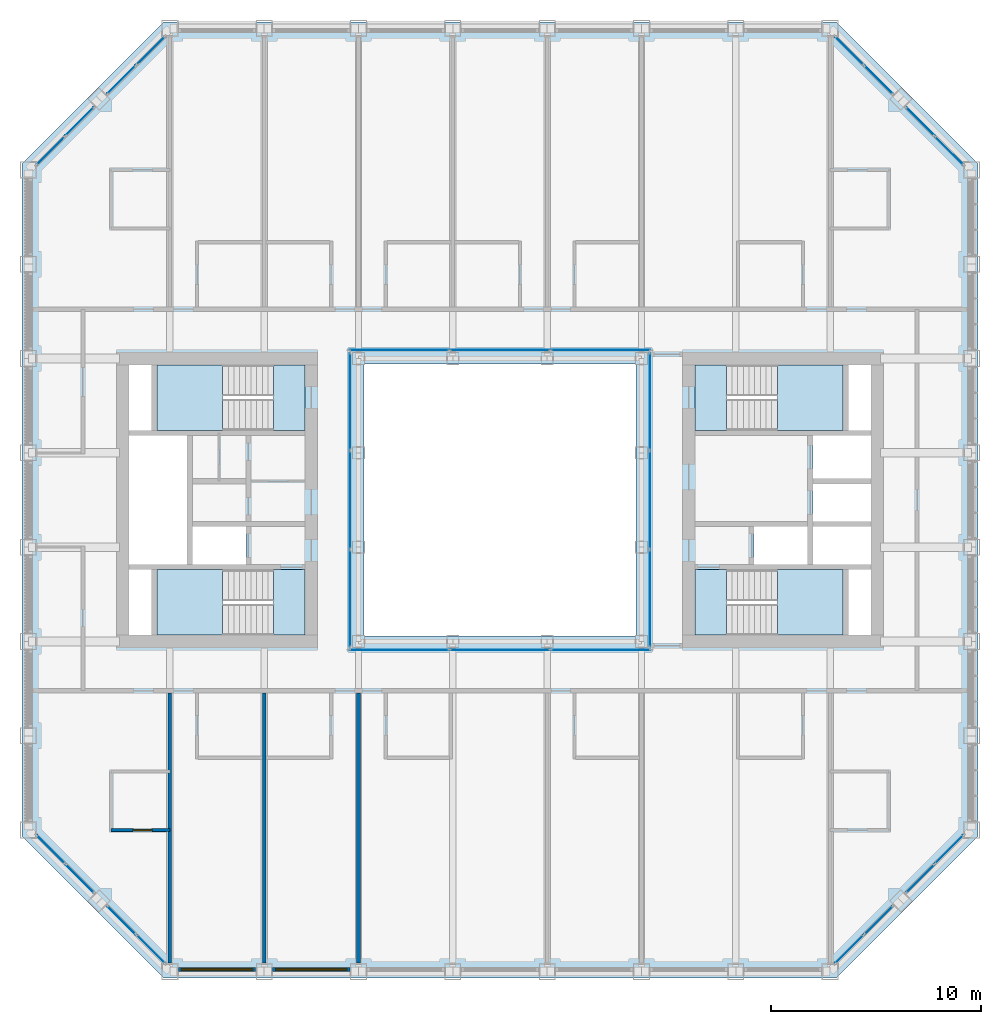
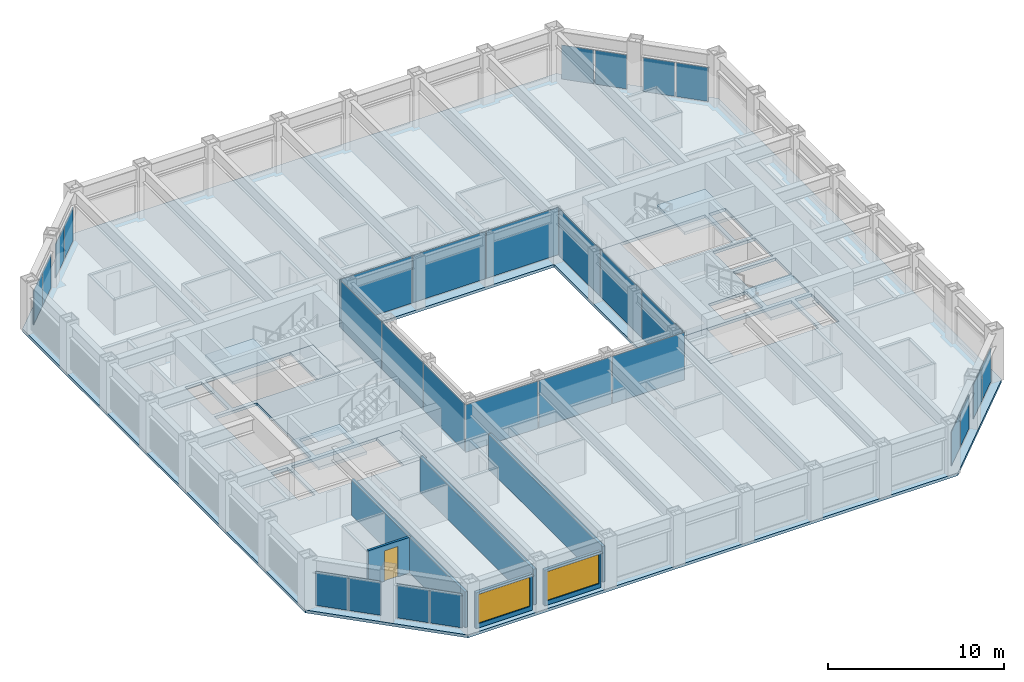
# One storey, part 9 of 17: 28 plates, 9 slabs, 6 walls, 2 windows, 1 door, 3 openings, 16 elements without a shape of their own.
"""IFC4 building model written with IfcOpenShell, lengths in metres."""

from ifc_helpers import new_model, si_unit, direction, frame, frame_2d, origin, origin_2d, place, context, subcontext, project, spatial, polyline, rectangle, outline, extrude, material, layer, layer_set, type_object, element, fill, aggregate, save


model = new_model("IFC4")

# Units and contexts
model_context = context("Model", 3, precision=1e-05, world=origin(), true_north=direction((0.0, 1.0)))
body_context = subcontext(model_context, "Body", "Model", "MODEL_VIEW")
ifc_project = project(units=[si_unit("LENGTHUNIT", "METRE"), si_unit("AREAUNIT", "SQUARE_METRE"), si_unit("VOLUMEUNIT", "CUBIC_METRE"), si_unit("PLANEANGLEUNIT", "RADIAN"), si_unit("MASSUNIT", "GRAM", prefix="KILO")], contexts=[model_context])

# Site, building, storey
site_placement = place(None, origin())
site = spatial("IfcSite", under=ifc_project, at=site_placement, CompositionType="ELEMENT")
building_placement = place(site_placement, origin())
building = spatial("IfcBuilding", under=site, at=building_placement, Name="Msasa Ring Tower", CompositionType="ELEMENT")
storey_placement = place(building_placement, frame((0.0, 0.0, 143.60009765625)))
storey = spatial("IfcBuildingStorey", under=building, at=storey_placement, Name="L37", CompositionType="ELEMENT", Elevation=143.60009765625)

# Curtain wall, plates
ifc_material_1 = material(Name="Aluminium curtain wall with clear glass", Category="aluminium")
curtain_wall_type_1 = type_object("IfcCurtainWallType", Name="CW-C CHAMFER CORNER CURTAIN WALL", PredefinedType="NOTDEFINED", material=ifc_material_1)
curtain_wall_1_placement = place(storey_placement, origin())
curtain_wall_1 = element("IfcCurtainWall", 1, at=curtain_wall_1_placement, inside=storey, type_object=curtain_wall_type_1, Name="Chamfer corner curtain wall SE L37", PredefinedType="NOTDEFINED")
ifc_material_2 = material(Name="Clear laminated insulating glass unit", Category="glass")
ifc_layer_1 = layer(ifc_material_2, 0.031982421875)
ifc_layer_set_1 = layer_set([ifc_layer_1], Name="CW-C GLASS PANEL 32")
plate_type_1 = type_object("IfcPlateType", Name="CW-C GLASS PANEL 32", PredefinedType="CURTAIN_PANEL", material=ifc_layer_set_1)
plate_1_placement = place(storey_placement, frame((16.677734375, -21.430908203125, 0.06494140625), z_axis=(0.0, 0.0, 1.0), x_axis=(0.707106781187, 0.707106781187, 0.0)))
plate_1 = element("IfcPlate", 2, at=plate_1_placement, type_object=plate_type_1, Name="CW-C panel 1.1", PredefinedType="CURTAIN_PANEL", context=body_context, shape_type="SweptSolid", body=[
    extrude(rectangle(XDim=1.884033203125, YDim=0.031982421875, at=origin_2d()), origin(), (0.0, 0.0, 1.0), 2.34912109375),
])
plate_2_placement = place(storey_placement, frame((18.055908203125, -20.052734375, 0.06494140625), z_axis=(0.0, 0.0, 1.0), x_axis=(0.707106781187, 0.707106781187, 0.0)))
plate_2 = element("IfcPlate", 3, at=plate_2_placement, type_object=plate_type_1, Name="CW-C panel 2.1", PredefinedType="CURTAIN_PANEL", context=body_context, shape_type="SweptSolid", body=[
    extrude(rectangle(XDim=1.884033203125, YDim=0.031982421875, at=origin_2d()), origin(), (0.0, 0.0, 1.0), 2.34912109375),
])
aggregate(curtain_wall_1, [plate_1, plate_2])

curtain_wall_2_placement = place(storey_placement, origin())
curtain_wall_2 = element("IfcCurtainWall", 4, at=curtain_wall_2_placement, inside=storey, type_object=curtain_wall_type_1, Name="Chamfer corner curtain wall SE L37", PredefinedType="NOTDEFINED")
plate_3_placement = place(storey_placement, frame((20.052734375, -18.055908203125, 0.06494140625), z_axis=(0.0, 0.0, 1.0), x_axis=(0.707106781187, 0.707106781187, 0.0)))
plate_3 = element("IfcPlate", 5, at=plate_3_placement, type_object=plate_type_1, Name="CW-C panel 1.1", PredefinedType="CURTAIN_PANEL", context=body_context, shape_type="SweptSolid", body=[
    extrude(rectangle(XDim=1.884033203125, YDim=0.031982421875, at=origin_2d()), origin(), (0.0, 0.0, 1.0), 2.34912109375),
])
plate_4_placement = place(storey_placement, frame((21.430908203125, -16.677734375, 0.06494140625), z_axis=(0.0, 0.0, 1.0), x_axis=(0.707106781187, 0.707106781187, 0.0)))
plate_4 = element("IfcPlate", 6, at=plate_4_placement, type_object=plate_type_1, Name="CW-C panel 2.1", PredefinedType="CURTAIN_PANEL", context=body_context, shape_type="SweptSolid", body=[
    extrude(rectangle(XDim=1.884033203125, YDim=0.031982421875, at=origin_2d()), origin(), (0.0, 0.0, 1.0), 2.34912109375),
])
aggregate(curtain_wall_2, [plate_3, plate_4])

curtain_wall_3_placement = place(storey_placement, origin())
curtain_wall_3 = element("IfcCurtainWall", 7, at=curtain_wall_3_placement, inside=storey, type_object=curtain_wall_type_1, Name="Chamfer corner curtain wall NE L37", PredefinedType="NOTDEFINED")
plate_5_placement = place(storey_placement, frame((18.055908203125, 20.052734375, 0.06494140625), z_axis=(0.0, 0.0, 1.0), x_axis=(-0.707106781187, 0.707106781187, 0.0)))
plate_5 = element("IfcPlate", 8, at=plate_5_placement, type_object=plate_type_1, Name="CW-C panel 1.1", PredefinedType="CURTAIN_PANEL", context=body_context, shape_type="SweptSolid", body=[
    extrude(rectangle(XDim=1.884033203125, YDim=0.031982421875, at=origin_2d()), origin(), (0.0, 0.0, 1.0), 2.34912109375),
])
plate_6_placement = place(storey_placement, frame((16.677734375, 21.430908203125, 0.06494140625), z_axis=(0.0, 0.0, 1.0), x_axis=(-0.707106781187, 0.707106781187, 0.0)))
plate_6 = element("IfcPlate", 9, at=plate_6_placement, type_object=plate_type_1, Name="CW-C panel 2.1", PredefinedType="CURTAIN_PANEL", context=body_context, shape_type="SweptSolid", body=[
    extrude(rectangle(XDim=1.884033203125, YDim=0.031982421875, at=origin_2d()), origin(), (0.0, 0.0, 1.0), 2.34912109375),
])
aggregate(curtain_wall_3, [plate_5, plate_6])

curtain_wall_4_placement = place(storey_placement, origin())
curtain_wall_4 = element("IfcCurtainWall", 10, at=curtain_wall_4_placement, inside=storey, type_object=curtain_wall_type_1, Name="Chamfer corner curtain wall NE L37", PredefinedType="NOTDEFINED")
plate_7_placement = place(storey_placement, frame((21.430908203125, 16.677734375, 0.06494140625), z_axis=(0.0, 0.0, 1.0), x_axis=(-0.707106781187, 0.707106781187, 0.0)))
plate_7 = element("IfcPlate", 11, at=plate_7_placement, type_object=plate_type_1, Name="CW-C panel 1.1", PredefinedType="CURTAIN_PANEL", context=body_context, shape_type="SweptSolid", body=[
    extrude(rectangle(XDim=1.884033203125, YDim=0.031982421875, at=origin_2d()), origin(), (0.0, 0.0, 1.0), 2.34912109375),
])
plate_8_placement = place(storey_placement, frame((20.052734375, 18.055908203125, 0.06494140625), z_axis=(0.0, 0.0, 1.0), x_axis=(-0.707106781187, 0.707106781187, 0.0)))
plate_8 = element("IfcPlate", 12, at=plate_8_placement, type_object=plate_type_1, Name="CW-C panel 2.1", PredefinedType="CURTAIN_PANEL", context=body_context, shape_type="SweptSolid", body=[
    extrude(rectangle(XDim=1.884033203125, YDim=0.031982421875, at=origin_2d()), origin(), (0.0, 0.0, 1.0), 2.34912109375),
])
aggregate(curtain_wall_4, [plate_7, plate_8])

curtain_wall_5_placement = place(storey_placement, origin())
curtain_wall_5 = element("IfcCurtainWall", 13, at=curtain_wall_5_placement, inside=storey, type_object=curtain_wall_type_1, Name="Chamfer corner curtain wall NW L37", PredefinedType="NOTDEFINED")
plate_9_placement = place(storey_placement, frame((-20.052734375, 18.055908203125, 0.06494140625), z_axis=(0.0, 0.0, 1.0), x_axis=(-0.707106781187, -0.707106781187, 0.0)))
plate_9 = element("IfcPlate", 14, at=plate_9_placement, type_object=plate_type_1, Name="CW-C panel 1.1", PredefinedType="CURTAIN_PANEL", context=body_context, shape_type="SweptSolid", body=[
    extrude(rectangle(XDim=1.884033203125, YDim=0.031982421875, at=origin_2d()), origin(), (0.0, 0.0, 1.0), 2.34912109375),
])
plate_10_placement = place(storey_placement, frame((-21.430908203125, 16.677734375, 0.06494140625), z_axis=(0.0, 0.0, 1.0), x_axis=(-0.707106781187, -0.707106781187, 0.0)))
plate_10 = element("IfcPlate", 15, at=plate_10_placement, type_object=plate_type_1, Name="CW-C panel 2.1", PredefinedType="CURTAIN_PANEL", context=body_context, shape_type="SweptSolid", body=[
    extrude(rectangle(XDim=1.884033203125, YDim=0.031982421875, at=origin_2d()), origin(), (0.0, 0.0, 1.0), 2.34912109375),
])
aggregate(curtain_wall_5, [plate_9, plate_10])

curtain_wall_6_placement = place(storey_placement, origin())
curtain_wall_6 = element("IfcCurtainWall", 16, at=curtain_wall_6_placement, inside=storey, type_object=curtain_wall_type_1, Name="Chamfer corner curtain wall NW L37", PredefinedType="NOTDEFINED")
plate_11_placement = place(storey_placement, frame((-16.677734375, 21.430908203125, 0.06494140625), z_axis=(0.0, 0.0, 1.0), x_axis=(-0.707106781187, -0.707106781187, 0.0)))
plate_11 = element("IfcPlate", 17, at=plate_11_placement, type_object=plate_type_1, Name="CW-C panel 1.1", PredefinedType="CURTAIN_PANEL", context=body_context, shape_type="SweptSolid", body=[
    extrude(rectangle(XDim=1.884033203125, YDim=0.031982421875, at=origin_2d()), origin(), (0.0, 0.0, 1.0), 2.34912109375),
])
plate_12_placement = place(storey_placement, frame((-18.055908203125, 20.052734375, 0.06494140625), z_axis=(0.0, 0.0, 1.0), x_axis=(-0.707106781187, -0.707106781187, 0.0)))
plate_12 = element("IfcPlate", 18, at=plate_12_placement, type_object=plate_type_1, Name="CW-C panel 2.1", PredefinedType="CURTAIN_PANEL", context=body_context, shape_type="SweptSolid", body=[
    extrude(rectangle(XDim=1.884033203125, YDim=0.031982421875, at=origin_2d()), origin(), (0.0, 0.0, 1.0), 2.34912109375),
])
aggregate(curtain_wall_6, [plate_11, plate_12])

curtain_wall_7_placement = place(storey_placement, origin())
curtain_wall_7 = element("IfcCurtainWall", 19, at=curtain_wall_7_placement, inside=storey, type_object=curtain_wall_type_1, Name="Chamfer corner curtain wall SW L37", PredefinedType="NOTDEFINED")
plate_13_placement = place(storey_placement, frame((-21.430908203125, -16.677734375, 0.06494140625), z_axis=(0.0, 0.0, 1.0), x_axis=(0.707106781187, -0.707106781187, 0.0)))
plate_13 = element("IfcPlate", 20, at=plate_13_placement, type_object=plate_type_1, Name="CW-C panel 1.1", PredefinedType="CURTAIN_PANEL", context=body_context, shape_type="SweptSolid", body=[
    extrude(rectangle(XDim=1.884033203125, YDim=0.031982421875, at=origin_2d()), origin(), (0.0, 0.0, 1.0), 2.34912109375),
])
plate_14_placement = place(storey_placement, frame((-20.052734375, -18.055908203125, 0.06494140625), z_axis=(0.0, 0.0, 1.0), x_axis=(0.707106781187, -0.707106781187, 0.0)))
plate_14 = element("IfcPlate", 21, at=plate_14_placement, type_object=plate_type_1, Name="CW-C panel 2.1", PredefinedType="CURTAIN_PANEL", context=body_context, shape_type="SweptSolid", body=[
    extrude(rectangle(XDim=1.884033203125, YDim=0.031982421875, at=origin_2d()), origin(), (0.0, 0.0, 1.0), 2.34912109375),
])
aggregate(curtain_wall_7, [plate_13, plate_14])

curtain_wall_8_placement = place(storey_placement, origin())
curtain_wall_8 = element("IfcCurtainWall", 22, at=curtain_wall_8_placement, inside=storey, type_object=curtain_wall_type_1, Name="Chamfer corner curtain wall SW L37", PredefinedType="NOTDEFINED")
plate_15_placement = place(storey_placement, frame((-18.055908203125, -20.052734375, 0.06494140625), z_axis=(0.0, 0.0, 1.0), x_axis=(0.707106781187, -0.707106781187, 0.0)))
plate_15 = element("IfcPlate", 23, at=plate_15_placement, type_object=plate_type_1, Name="CW-C panel 1.1", PredefinedType="CURTAIN_PANEL", context=body_context, shape_type="SweptSolid", body=[
    extrude(rectangle(XDim=1.884033203125, YDim=0.031982421875, at=origin_2d()), origin(), (0.0, 0.0, 1.0), 2.34912109375),
])
plate_16_placement = place(storey_placement, frame((-16.677734375, -21.430908203125, 0.06494140625), z_axis=(0.0, 0.0, 1.0), x_axis=(0.707106781187, -0.707106781187, 0.0)))
plate_16 = element("IfcPlate", 24, at=plate_16_placement, type_object=plate_type_1, Name="CW-C panel 2.1", PredefinedType="CURTAIN_PANEL", context=body_context, shape_type="SweptSolid", body=[
    extrude(rectangle(XDim=1.884033203125, YDim=0.031982421875, at=origin_2d()), origin(), (0.0, 0.0, 1.0), 2.34912109375),
])
aggregate(curtain_wall_8, [plate_15, plate_16])

ifc_material_3 = material(Name="Aluminium curtain wall with clear glass", Category="aluminium")
curtain_wall_type_2 = type_object("IfcCurtainWallType", Name="CW-W LIGHT WELL CURTAIN WALL", PredefinedType="NOTDEFINED", material=ifc_material_3)
curtain_wall_9_placement = place(storey_placement, origin())
curtain_wall_9 = element("IfcCurtainWall", 25, at=curtain_wall_9_placement, inside=storey, type_object=curtain_wall_type_2, Name="Light well curtain wall N L37", PredefinedType="NOTDEFINED")
ifc_material_4 = material(Name="Clear laminated insulating glass unit", Category="glass")
ifc_layer_2 = layer(ifc_material_4, 0.028076171875)
ifc_layer_set_2 = layer_set([ifc_layer_2], Name="CW-W GLASS PANEL 28")
plate_type_2 = type_object("IfcPlateType", Name="CW-W GLASS PANEL 28", PredefinedType="CURTAIN_PANEL", material=ifc_layer_set_2)
plate_17_placement = place(storey_placement, frame((-4.804931640625, 7.14990234375, 0.06005859375), z_axis=(0.0, 0.0, 1.0), x_axis=(1.0, 0.0, 0.0)))
plate_17 = element("IfcPlate", 26, at=plate_17_placement, type_object=plate_type_2, Name="CW-W panel 1.1", PredefinedType="CURTAIN_PANEL", context=body_context, shape_type="SweptSolid", body=[
    extrude(rectangle(XDim=4.72998046875, YDim=0.028076171875, at=origin_2d()), origin(), (0.0, 0.0, 1.0), 3.280029296875),
])
plate_18_placement = place(storey_placement, frame((0.0, 7.14990234375, 0.06005859375), z_axis=(0.0, 0.0, 1.0), x_axis=(1.0, 0.0, 0.0)))
plate_18 = element("IfcPlate", 27, at=plate_18_placement, type_object=plate_type_2, Name="CW-W panel 2.1", PredefinedType="CURTAIN_PANEL", context=body_context, shape_type="SweptSolid", body=[
    extrude(rectangle(XDim=4.760009765625, YDim=0.028076171875, at=origin_2d()), origin(), (0.0, 0.0, 1.0), 3.280029296875),
])
plate_19_placement = place(storey_placement, frame((4.804931640625, 7.14990234375, 0.06005859375), z_axis=(0.0, 0.0, 1.0), x_axis=(1.0, 0.0, 0.0)))
plate_19 = element("IfcPlate", 28, at=plate_19_placement, type_object=plate_type_2, Name="CW-W panel 3.1", PredefinedType="CURTAIN_PANEL", context=body_context, shape_type="SweptSolid", body=[
    extrude(rectangle(XDim=4.72998046875, YDim=0.028076171875, at=origin_2d()), origin(), (0.0, 0.0, 1.0), 3.280029296875),
])
aggregate(curtain_wall_9, [plate_17, plate_18, plate_19])

curtain_wall_10_placement = place(storey_placement, origin())
curtain_wall_10 = element("IfcCurtainWall", 29, at=curtain_wall_10_placement, inside=storey, type_object=curtain_wall_type_2, Name="Light well curtain wall S L37", PredefinedType="NOTDEFINED")
plate_20_placement = place(storey_placement, frame((-4.804931640625, -7.14990234375, 0.06005859375), z_axis=(0.0, 0.0, 1.0), x_axis=(1.0, 0.0, 0.0)))
plate_20 = element("IfcPlate", 30, at=plate_20_placement, type_object=plate_type_2, Name="CW-W panel 1.1", PredefinedType="CURTAIN_PANEL", context=body_context, shape_type="SweptSolid", body=[
    extrude(rectangle(XDim=4.72998046875, YDim=0.028076171875, at=origin_2d()), origin(), (0.0, 0.0, 1.0), 3.280029296875),
])
plate_21_placement = place(storey_placement, frame((0.0, -7.14990234375, 0.06005859375), z_axis=(0.0, 0.0, 1.0), x_axis=(1.0, 0.0, 0.0)))
plate_21 = element("IfcPlate", 31, at=plate_21_placement, type_object=plate_type_2, Name="CW-W panel 2.1", PredefinedType="CURTAIN_PANEL", context=body_context, shape_type="SweptSolid", body=[
    extrude(rectangle(XDim=4.760009765625, YDim=0.028076171875, at=origin_2d()), origin(), (0.0, 0.0, 1.0), 3.280029296875),
])
plate_22_placement = place(storey_placement, frame((4.804931640625, -7.14990234375, 0.06005859375), z_axis=(0.0, 0.0, 1.0), x_axis=(1.0, 0.0, 0.0)))
plate_22 = element("IfcPlate", 32, at=plate_22_placement, type_object=plate_type_2, Name="CW-W panel 3.1", PredefinedType="CURTAIN_PANEL", context=body_context, shape_type="SweptSolid", body=[
    extrude(rectangle(XDim=4.72998046875, YDim=0.028076171875, at=origin_2d()), origin(), (0.0, 0.0, 1.0), 3.280029296875),
])
aggregate(curtain_wall_10, [plate_20, plate_21, plate_22])

curtain_wall_11_placement = place(storey_placement, origin())
curtain_wall_11 = element("IfcCurtainWall", 33, at=curtain_wall_11_placement, inside=storey, type_object=curtain_wall_type_2, Name="Light well curtain wall E L37", PredefinedType="NOTDEFINED")
plate_23_placement = place(storey_placement, frame((7.14990234375, -4.6982421875, 0.06005859375), z_axis=(0.0, 0.0, 1.0), x_axis=(0.0, 1.0, 0.0)))
plate_23 = element("IfcPlate", 34, at=plate_23_placement, type_object=plate_type_2, Name="CW-W panel 1.1", PredefinedType="CURTAIN_PANEL", context=body_context, shape_type="SweptSolid", body=[
    extrude(rectangle(XDim=4.623291015625, YDim=0.028076171875, at=origin_2d()), origin(), (0.0, 0.0, 1.0), 3.280029296875),
])
plate_24_placement = place(storey_placement, frame((7.14990234375, 0.0, 0.06005859375), z_axis=(0.0, 0.0, 1.0), x_axis=(0.0, 1.0, 0.0)))
plate_24 = element("IfcPlate", 35, at=plate_24_placement, type_object=plate_type_2, Name="CW-W panel 2.1", PredefinedType="CURTAIN_PANEL", context=body_context, shape_type="SweptSolid", body=[
    extrude(rectangle(XDim=4.6533203125, YDim=0.028076171875, at=origin_2d()), origin(), (0.0, 0.0, 1.0), 3.280029296875),
])
plate_25_placement = place(storey_placement, frame((7.14990234375, 4.6982421875, 0.06005859375), z_axis=(0.0, 0.0, 1.0), x_axis=(0.0, 1.0, 0.0)))
plate_25 = element("IfcPlate", 36, at=plate_25_placement, type_object=plate_type_2, Name="CW-W panel 3.1", PredefinedType="CURTAIN_PANEL", context=body_context, shape_type="SweptSolid", body=[
    extrude(rectangle(XDim=4.623291015625, YDim=0.028076171875, at=origin_2d()), origin(), (0.0, 0.0, 1.0), 3.280029296875),
])
aggregate(curtain_wall_11, [plate_23, plate_24, plate_25])

curtain_wall_12_placement = place(storey_placement, origin())
curtain_wall_12 = element("IfcCurtainWall", 37, at=curtain_wall_12_placement, inside=storey, type_object=curtain_wall_type_2, Name="Light well curtain wall W L37", PredefinedType="NOTDEFINED")
plate_26_placement = place(storey_placement, frame((-7.14990234375, -4.6982421875, 0.06005859375), z_axis=(0.0, 0.0, 1.0), x_axis=(0.0, 1.0, 0.0)))
plate_26 = element("IfcPlate", 38, at=plate_26_placement, type_object=plate_type_2, Name="CW-W panel 1.1", PredefinedType="CURTAIN_PANEL", context=body_context, shape_type="SweptSolid", body=[
    extrude(rectangle(XDim=4.623291015625, YDim=0.028076171875, at=origin_2d()), origin(), (0.0, 0.0, 1.0), 3.280029296875),
])
plate_27_placement = place(storey_placement, frame((-7.14990234375, 0.0, 0.06005859375), z_axis=(0.0, 0.0, 1.0), x_axis=(0.0, 1.0, 0.0)))
plate_27 = element("IfcPlate", 39, at=plate_27_placement, type_object=plate_type_2, Name="CW-W panel 2.1", PredefinedType="CURTAIN_PANEL", context=body_context, shape_type="SweptSolid", body=[
    extrude(rectangle(XDim=4.6533203125, YDim=0.028076171875, at=origin_2d()), origin(), (0.0, 0.0, 1.0), 3.280029296875),
])
plate_28_placement = place(storey_placement, frame((-7.14990234375, 4.6982421875, 0.06005859375), z_axis=(0.0, 0.0, 1.0), x_axis=(0.0, 1.0, 0.0)))
plate_28 = element("IfcPlate", 40, at=plate_28_placement, type_object=plate_type_2, Name="CW-W panel 3.1", PredefinedType="CURTAIN_PANEL", context=body_context, shape_type="SweptSolid", body=[
    extrude(rectangle(XDim=4.623291015625, YDim=0.028076171875, at=origin_2d()), origin(), (0.0, 0.0, 1.0), 3.280029296875),
])
aggregate(curtain_wall_12, [plate_26, plate_27, plate_28])

# Stair, slabs
ifc_material_5 = material(Name="Concrete C40/50", Category="concrete")
stair_type = type_object("IfcStairType", Name="STC CORE STAIR 20 RISERS 180", PredefinedType="HALF_TURN_STAIR", material=ifc_material_5)
stair_1_placement = place(storey_placement, origin())
stair_1 = element("IfcStair", 41, at=stair_1_placement, inside=storey, type_object=stair_type, Name="Core stair SEA L37", PredefinedType="HALF_TURN_STAIR")
ifc_material_6 = material(Name="Concrete C40/50", Category="concrete")
ifc_layer_3 = layer(ifc_material_6, 0.199951171875)
ifc_layer_set_3 = layer_set([ifc_layer_3], Name="LD1 CORE STAIR LANDING 200")
slab_type_1 = type_object("IfcSlabType", Name="LD1 CORE STAIR LANDING 200", PredefinedType="LANDING", material=ifc_layer_set_3)
slab_1_placement = place(storey_placement, frame((0.0, 0.0, -0.2001953125)))
slab_1 = element("IfcSlab", 42, at=slab_1_placement, type_object=slab_type_1, Name="SEA landing 1", PredefinedType="LANDING", context=body_context, shape_type="SweptSolid", body=[
    extrude(outline(polyline([(9.300048828125, -6.449951171875), (10.800048828125, -6.449951171875), (10.800048828125, -3.324951171875), (9.300048828125, -3.324951171875), (9.300048828125, -6.449951171875)])), origin(), (0.0, 0.0, 1.0), 0.2001953125),
])
slab_2_placement = place(storey_placement, frame((0.0, 0.0, 1.599853515625)))
slab_2 = element("IfcSlab", 43, at=slab_2_placement, type_object=slab_type_1, Name="SEA landing 2", PredefinedType="LANDING", context=body_context, shape_type="SweptSolid", body=[
    extrude(outline(polyline([(13.22998046875, -6.449951171875), (16.375, -6.449951171875), (16.375, -3.324951171875), (13.22998046875, -3.324951171875), (13.22998046875, -6.449951171875)])), origin(), (0.0, 0.0, 1.0), 0.199951171875),
])
aggregate(stair_1, [slab_1, slab_2])

stair_2_placement = place(storey_placement, origin())
stair_2 = element("IfcStair", 44, at=stair_2_placement, inside=storey, type_object=stair_type, Name="Core stair SEB L37", PredefinedType="HALF_TURN_STAIR")
slab_3_placement = place(storey_placement, frame((0.0, 0.0, -0.2001953125)))
slab_3 = element("IfcSlab", 45, at=slab_3_placement, type_object=slab_type_1, Name="SEB landing 1", PredefinedType="LANDING", context=body_context, shape_type="SweptSolid", body=[
    extrude(outline(polyline([(9.300048828125, 3.324951171875), (10.800048828125, 3.324951171875), (10.800048828125, 6.449951171875), (9.300048828125, 6.449951171875), (9.300048828125, 3.324951171875)])), origin(), (0.0, 0.0, 1.0), 0.2001953125),
])
slab_4_placement = place(storey_placement, frame((0.0, 0.0, 1.599853515625)))
slab_4 = element("IfcSlab", 46, at=slab_4_placement, type_object=slab_type_1, Name="SEB landing 2", PredefinedType="LANDING", context=body_context, shape_type="SweptSolid", body=[
    extrude(outline(polyline([(13.22998046875, 3.324951171875), (16.375, 3.324951171875), (16.375, 6.449951171875), (13.22998046875, 6.449951171875), (13.22998046875, 3.324951171875)])), origin(), (0.0, 0.0, 1.0), 0.199951171875),
])
aggregate(stair_2, [slab_3, slab_4])

stair_3_placement = place(storey_placement, origin())
stair_3 = element("IfcStair", 47, at=stair_3_placement, inside=storey, type_object=stair_type, Name="Core stair SWA L37", PredefinedType="HALF_TURN_STAIR")
slab_5_placement = place(storey_placement, frame((0.0, 0.0, -0.2001953125)))
slab_5 = element("IfcSlab", 48, at=slab_5_placement, type_object=slab_type_1, Name="SWA landing 1", PredefinedType="LANDING", context=body_context, shape_type="SweptSolid", body=[
    extrude(outline(polyline([(-10.800048828125, -6.449951171875), (-9.300048828125, -6.449951171875), (-9.300048828125, -3.324951171875), (-10.800048828125, -3.324951171875), (-10.800048828125, -6.449951171875)])), origin(), (0.0, 0.0, 1.0), 0.2001953125),
])
slab_6_placement = place(storey_placement, frame((0.0, 0.0, 1.599853515625)))
slab_6 = element("IfcSlab", 49, at=slab_6_placement, type_object=slab_type_1, Name="SWA landing 2", PredefinedType="LANDING", context=body_context, shape_type="SweptSolid", body=[
    extrude(outline(polyline([(-16.375, -6.449951171875), (-13.22998046875, -6.449951171875), (-13.22998046875, -3.324951171875), (-16.375, -3.324951171875), (-16.375, -6.449951171875)])), origin(), (0.0, 0.0, 1.0), 0.199951171875),
])
aggregate(stair_3, [slab_5, slab_6])

stair_4_placement = place(storey_placement, origin())
stair_4 = element("IfcStair", 50, at=stair_4_placement, inside=storey, type_object=stair_type, Name="Core stair SWB L37", PredefinedType="HALF_TURN_STAIR")
slab_7_placement = place(storey_placement, frame((0.0, 0.0, -0.2001953125)))
slab_7 = element("IfcSlab", 51, at=slab_7_placement, type_object=slab_type_1, Name="SWB landing 1", PredefinedType="LANDING", context=body_context, shape_type="SweptSolid", body=[
    extrude(outline(polyline([(-10.800048828125, 3.324951171875), (-9.300048828125, 3.324951171875), (-9.300048828125, 6.449951171875), (-10.800048828125, 6.449951171875), (-10.800048828125, 3.324951171875)])), origin(), (0.0, 0.0, 1.0), 0.2001953125),
])
slab_8_placement = place(storey_placement, frame((0.0, 0.0, 1.599853515625)))
slab_8 = element("IfcSlab", 52, at=slab_8_placement, type_object=slab_type_1, Name="SWB landing 2", PredefinedType="LANDING", context=body_context, shape_type="SweptSolid", body=[
    extrude(outline(polyline([(-16.375, 3.324951171875), (-13.22998046875, 3.324951171875), (-13.22998046875, 6.449951171875), (-16.375, 6.449951171875), (-16.375, 3.324951171875)])), origin(), (0.0, 0.0, 1.0), 0.199951171875),
])
aggregate(stair_4, [slab_7, slab_8])

# Slab
ifc_material_7 = material(Name="Concrete C40/50", Category="concrete")
ifc_layer_4 = layer(ifc_material_7, 0.199951171875)
ifc_layer_set_4 = layer_set([ifc_layer_4], Name="S6 GUEST FLOOR 200")
slab_type_2 = type_object("IfcSlabType", Name="S6 GUEST FLOOR 200", PredefinedType="FLOOR", material=ifc_layer_set_4)
slab_9_placement = place(storey_placement, frame((0.0, 0.0, -0.2001953125)))
element("IfcSlab", 53, at=slab_9_placement, inside=storey, type_object=slab_type_2, Name="Floor slab L37", PredefinedType="FLOOR", context=body_context, shape_type="SweptSolid", body=[
    extrude(outline(polyline([(-16.050048828125, -22.800048828125), (16.050048828125, -22.800048828125), (22.800048828125, -16.050048828125), (22.800048828125, 16.050048828125), (16.050048828125, 22.800048828125), (-16.050048828125, 22.800048828125), (-22.800048828125, 16.050048828125), (-22.800048828125, -16.050048828125), (-16.050048828125, -22.800048828125)]), holes=[polyline([(-6.5, -6.5), (6.5, -6.5), (6.5, 6.5), (-6.5, 6.5), (-6.5, -6.5)]), polyline([(9.300048828125, -6.449951171875), (16.375, -6.449951171875), (16.375, -3.324951171875), (9.300048828125, -3.324951171875), (9.300048828125, -6.449951171875)]), polyline([(9.300048828125, 3.324951171875), (16.375, 3.324951171875), (16.375, 6.449951171875), (9.300048828125, 6.449951171875), (9.300048828125, 3.324951171875)]), polyline([(12.125, -3.074951171875), (14.675048828125, -3.074951171875), (14.675048828125, -1.27490234375), (12.125, -1.27490234375), (12.125, -3.074951171875)]), polyline([(16.625, -6.449951171875), (17.699951171875, -6.449951171875), (17.699951171875, -3.324951171875), (16.625, -3.324951171875), (16.625, -6.449951171875)]), polyline([(16.625, 3.324951171875), (17.699951171875, 3.324951171875), (17.699951171875, 6.449951171875), (16.625, 6.449951171875), (16.625, 3.324951171875)]), polyline([(14.925048828125, -3.074951171875), (17.699951171875, -3.074951171875), (17.699951171875, -1.27490234375), (14.925048828125, -1.27490234375), (14.925048828125, -3.074951171875)]), polyline([(14.925048828125, -1.02490234375), (17.699951171875, -1.02490234375), (17.699951171875, 0.77490234375), (14.925048828125, 0.77490234375), (14.925048828125, -1.02490234375)]), polyline([(14.925048828125, 1.02490234375), (17.699951171875, 1.02490234375), (17.699951171875, 3.074951171875), (14.925048828125, 3.074951171875), (14.925048828125, 1.02490234375)]), polyline([(-16.375, -6.449951171875), (-9.300048828125, -6.449951171875), (-9.300048828125, -3.324951171875), (-16.375, -3.324951171875), (-16.375, -6.449951171875)]), polyline([(-16.375, 3.324951171875), (-9.300048828125, 3.324951171875), (-9.300048828125, 6.449951171875), (-16.375, 6.449951171875), (-16.375, 3.324951171875)]), polyline([(-14.675048828125, -3.074951171875), (-12.125, -3.074951171875), (-12.125, -1.27490234375), (-14.675048828125, -1.27490234375), (-14.675048828125, -3.074951171875)]), polyline([(-17.699951171875, -6.449951171875), (-16.625, -6.449951171875), (-16.625, -3.324951171875), (-17.699951171875, -3.324951171875), (-17.699951171875, -6.449951171875)]), polyline([(-17.699951171875, 3.324951171875), (-16.625, 3.324951171875), (-16.625, 6.449951171875), (-17.699951171875, 6.449951171875), (-17.699951171875, 3.324951171875)]), polyline([(-17.699951171875, -3.074951171875), (-14.925048828125, -3.074951171875), (-14.925048828125, 3.074951171875), (-17.699951171875, 3.074951171875), (-17.699951171875, -3.074951171875)])]), origin(), (0.0, 0.0, 1.0), 0.2001953125),
])

# Wall, opening, window
ifc_material_8 = material(Name="Terracotta rainscreen on blockwork", Category="masonry")
ifc_layer_5 = layer(ifc_material_8, 0.199951171875)
ifc_layer_set_5 = layer_set([ifc_layer_5], Name="FW1 TERRACOTTA-LINED INFILL BAY WALL 200")
wall_type_1 = type_object("IfcWallType", Name="FW1 TERRACOTTA-LINED INFILL BAY WALL 200", PredefinedType="SOLIDWALL", material=ifc_layer_set_5)
wall_1_placement = place(storey_placement, frame((-15.344970703125, -22.39990234375, 0.0), z_axis=(0.0, 0.0, 1.0), x_axis=(1.0, 0.0, 0.0)))
wall_1 = element("IfcWall", 54, at=wall_1_placement, inside=storey, type_object=wall_type_1, Name="Infill bay wall S L37 00", PredefinedType="SOLIDWALL", context=body_context, shape_type="SweptSolid", body=[
    extrude(rectangle(XDim=3.68994140625, YDim=0.199951171875, at=frame_2d((1.844970703125, 0.0))), origin(), (0.0, 0.0, 1.0), 2.47900390625),
])
opening_1_placement = place(wall_1_placement, frame((0.14501953125, 0.0, 0.300048828125)))
opening_1 = element("IfcOpeningElement", 55, at=opening_1_placement, cuts=wall_1, Name="Opening WN2", PredefinedType="OPENING", context=body_context, shape_type="SweptSolid", body=[
    extrude(rectangle(XDim=3.39990234375, YDim=2.029052734375, at=frame_2d((1.699951171875, 1.0146484375))), frame((0.0, 0.10986328125, 0.0), z_axis=(0.0, -1.0, 0.0), x_axis=(1.0, 0.0, 0.0)), (0.0, 0.0, 1.0), 0.219970703125),
])
ifc_material_9 = material(Name="Aluminium frame with clear glass", Category="aluminium")
window_type = type_object("IfcWindowType", Name="WN2 GUEST ROOM WINDOW 3400x2029", PartitioningType="SINGLE_PANEL", PredefinedType="WINDOW", material=ifc_material_9)
window_1_placement = place(opening_1_placement, origin())
window_1 = element("IfcWindow", 56, at=window_1_placement, inside=storey, type_object=window_type, Name="Window S L37 00", OverallHeight=2.029052734375, OverallWidth=3.39990234375, PartitioningType="SINGLE_PANEL", PredefinedType="WINDOW", context=body_context, shape_type="SweptSolid", body=[
    extrude(rectangle(XDim=3.39990234375, YDim=2.029052734375, at=frame_2d((1.699951171875, 1.0146484375))), frame((0.0, 0.030029296875, 0.0), z_axis=(0.0, -1.0, 0.0), x_axis=(1.0, 0.0, 0.0)), (0.0, 0.0, 1.0), 0.06005859375),
])
fill(opening_1, window_1)

wall_2_placement = place(storey_placement, frame((-10.844970703125, -22.39990234375, 0.0), z_axis=(0.0, 0.0, 1.0), x_axis=(1.0, 0.0, 0.0)))
wall_2 = element("IfcWall", 57, at=wall_2_placement, inside=storey, type_object=wall_type_1, Name="Infill bay wall S L37 01", PredefinedType="SOLIDWALL", context=body_context, shape_type="SweptSolid", body=[
    extrude(rectangle(XDim=3.68994140625, YDim=0.199951171875, at=frame_2d((1.844970703125, 0.0))), origin(), (0.0, 0.0, 1.0), 2.47900390625),
])
opening_2_placement = place(wall_2_placement, frame((0.14501953125, 0.0, 0.300048828125)))
opening_2 = element("IfcOpeningElement", 58, at=opening_2_placement, cuts=wall_2, Name="Opening WN2", PredefinedType="OPENING", context=body_context, shape_type="SweptSolid", body=[
    extrude(rectangle(XDim=3.39990234375, YDim=2.029052734375, at=frame_2d((1.699951171875, 1.0146484375))), frame((0.0, 0.10986328125, 0.0), z_axis=(0.0, -1.0, 0.0), x_axis=(1.0, 0.0, 0.0)), (0.0, 0.0, 1.0), 0.219970703125),
])
window_2_placement = place(opening_2_placement, origin())
window_2 = element("IfcWindow", 59, at=window_2_placement, inside=storey, type_object=window_type, Name="Window S L37 01", OverallHeight=2.029052734375, OverallWidth=3.39990234375, PartitioningType="SINGLE_PANEL", PredefinedType="WINDOW", context=body_context, shape_type="SweptSolid", body=[
    extrude(rectangle(XDim=3.39990234375, YDim=2.029052734375, at=frame_2d((1.699951171875, 1.0146484375))), frame((0.0, 0.030029296875, 0.0), z_axis=(0.0, -1.0, 0.0), x_axis=(1.0, 0.0, 0.0)), (0.0, 0.0, 1.0), 0.06005859375),
])
fill(opening_2, window_2)

# Wall, opening, door
ifc_material_10 = material(Name="Moisture-resistant board on steel studs with a concealed cistern and pipe void, tiled", Category="steel")
ifc_layer_6 = layer(ifc_material_10, 0.14990234375)
ifc_layer_set_6 = layer_set([ifc_layer_6], Name="PT4 BATHROOM WET WALL 150")
wall_type_2 = type_object("IfcWallType", Name="PT4 BATHROOM WET WALL 150", PredefinedType="PARTITIONING", material=ifc_layer_set_6)
wall_3_placement = place(storey_placement, frame((-18.550048828125, -15.75, 0.0), z_axis=(0.0, 0.0, 1.0), x_axis=(1.0, 0.0, 0.0)))
wall_3 = element("IfcWall", 60, at=wall_3_placement, inside=storey, type_object=wall_type_2, Name="Partition L37-CSSWBZ", PredefinedType="PARTITIONING", context=body_context, shape_type="SweptSolid", body=[
    extrude(rectangle(XDim=2.800048828125, YDim=0.14990234375, at=frame_2d((1.39990234375, 0.0))), origin(), (0.0, 0.0, 1.0), 2.473388671875),
])
opening_3_placement = place(wall_3_placement, frame((1.050048828125, 0.0, 0.0)))
opening_3 = element("IfcOpeningElement", 61, at=opening_3_placement, cuts=wall_3, Name="Opening HC-046", PredefinedType="OPENING", context=body_context, shape_type="SweptSolid", body=[
    extrude(rectangle(XDim=0.89990234375, YDim=2.10009765625, at=frame_2d((0.449951171875, 1.050048828125))), frame((0.0, 0.0849609375, 0.0), z_axis=(0.0, -1.0, 0.0), x_axis=(1.0, 0.0, 0.0)), (0.0, 0.0, 1.0), 0.169921875),
])
ifc_material_11 = material(Name="Timber door leaf in a steel frame", Category="steel")
door_type = type_object("IfcDoorType", Name="D3 BATHROOM DOOR 900x2100", OperationType="SINGLE_SWING_LEFT", PredefinedType="DOOR", material=ifc_material_11)
door_placement = place(opening_3_placement, origin())
door = element("IfcDoor", 62, at=door_placement, inside=storey, type_object=door_type, Name="Door L37-CSSWB1", OperationType="SINGLE_SWING_RIGHT", OverallHeight=2.10009765625, OverallWidth=0.89990234375, PredefinedType="DOOR", context=body_context, shape_type="SweptSolid", body=[
    extrude(rectangle(XDim=0.89990234375, YDim=2.10009765625, at=frame_2d((0.449951171875, 1.050048828125))), frame((0.0, 0.02490234375, 0.0), z_axis=(0.0, -1.0, 0.0), x_axis=(1.0, 0.0, 0.0)), (0.0, 0.0, 1.0), 0.050048828125),
])
fill(opening_3, door)

# Walls
ifc_material_12 = material(Name="Twin steel studs, two layers of acoustic board each face, mineral wool", Category="steel")
ifc_layer_7 = layer(ifc_material_12, 0.175048828125)
ifc_layer_set_7 = layer_set([ifc_layer_7], Name="PT5 GUEST ROOM SEPARATING WALL 175")
wall_type_3 = type_object("IfcWallType", Name="PT5 GUEST ROOM SEPARATING WALL 175", PredefinedType="PARTITIONING", material=ifc_layer_set_7)
for number, where, z_axis, x_axis, name in (
    (63, (-15.75, -22.10009765625, 0.0), (0.0, 0.0, 1.0), (0.0, 1.0, 0.0), "Partition L37-PWS-15.75"),
    (64, (-11.25, -22.10009765625, 0.0), (0.0, 0.0, 1.0), (0.0, 1.0, 0.0), "Partition L37-PWS-11.25"),
    (65, (-6.75, -22.10009765625, 0.0), (0.0, 0.0, 1.0), (0.0, 1.0, 0.0), "Partition L37-PWS-6.75"),
):
    element("IfcWall", number, at=place(storey_placement, frame(where, z_axis=z_axis, x_axis=x_axis)), inside=storey, type_object=wall_type_3, Name=name, PredefinedType="PARTITIONING", context=body_context, shape_type="SweptSolid", body=[
        extrude(rectangle(XDim=12.900146484375, YDim=0.175048828125, at=frame_2d((6.4501953125, 0.0))), origin(), (0.0, 0.0, 1.0), 2.473388671875),
    ])

save(model, "model.ifc")
